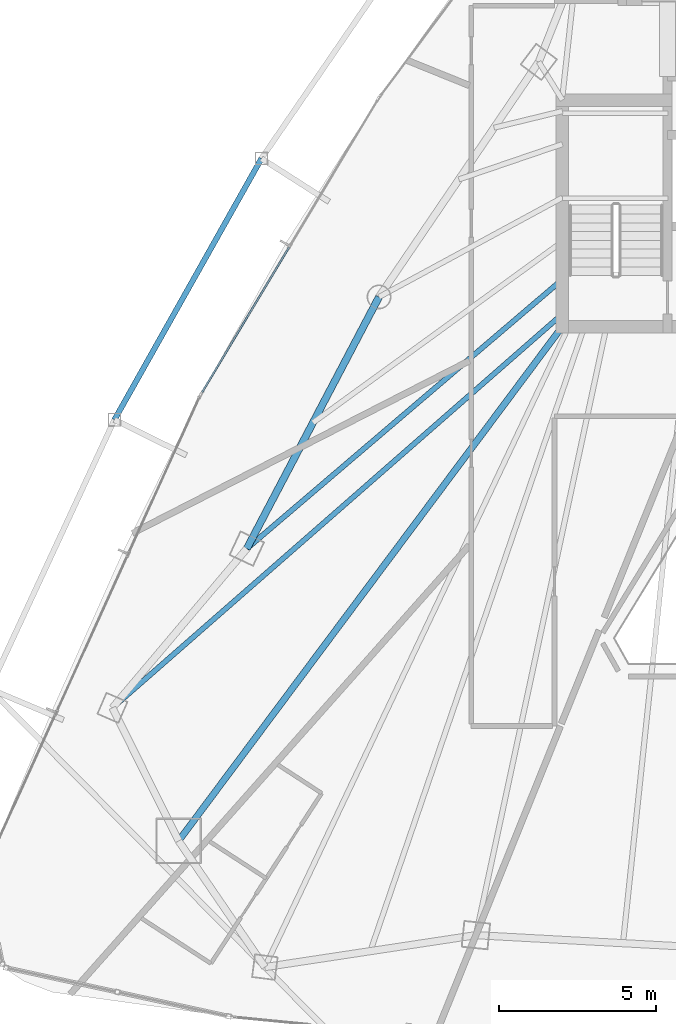
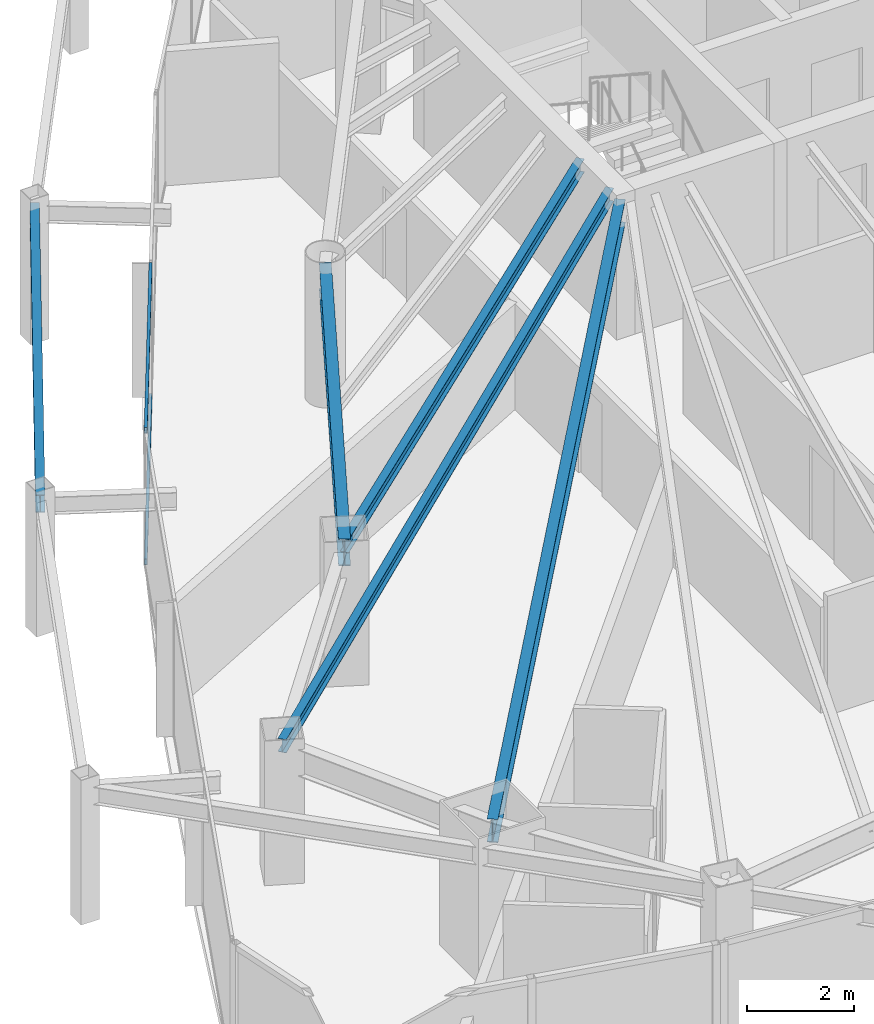
# One storey, part 11 of 31: 5 beams, 2 members, 1 element without a shape of its own.
"""IFC4 building model written with IfcOpenShell, lengths in metres."""

from ifc_helpers import new_model, si_unit, direction, frame, origin, origin_2d, place, context, subcontext, project, spatial, hollow_rectangle, i_section, extrude, material, layer, layer_set, material_profile, profile_set, type_object, element, aggregate, save


model = new_model("IFC4")

# Units and contexts
model_context = context("Model", 3, precision=1e-05, world=origin(), true_north=direction((0.0, 1.0)))
body_context = subcontext(model_context, "Body", "Model", "MODEL_VIEW")
ifc_project = project(units=[si_unit("LENGTHUNIT", "METRE"), si_unit("AREAUNIT", "SQUARE_METRE"), si_unit("VOLUMEUNIT", "CUBIC_METRE"), si_unit("PLANEANGLEUNIT", "RADIAN"), si_unit("MASSUNIT", "GRAM", prefix="KILO")], contexts=[model_context])

# Site, building, storey
site_placement = place(None, origin())
site = spatial("IfcSite", under=ifc_project, at=site_placement, CompositionType="ELEMENT")
building_placement = place(site_placement, origin())
building = spatial("IfcBuilding", under=site, at=building_placement, Name="Orvanel Arch Residences", CompositionType="ELEMENT")
storey_placement = place(building_placement, frame((0.0, 0.0, 153.949951171875)))
storey = spatial("IfcBuildingStorey", under=building, at=storey_placement, Name="L43", CompositionType="ELEMENT", Elevation=153.949951171875)

# Beams
ifc_material_1 = material(Name="Structural steel AS/NZS 3679.1 Grade 300 (300 MPa)", Category="steel")
ifc_material_profile_1 = material_profile(ifc_material_1, i_section(OverallWidth=0.208984375, OverallDepth=0.532958984375, WebThickness=0.01025390625, FlangeThickness=0.015625, at=origin_2d()), Name="530UB92.4")
ifc_profile_set_1 = profile_set([ifc_material_profile_1], Name="Structural steel AS/NZS 3679.1 Grade 300 (300 MPa)")
beam_type_1 = type_object("IfcBeamType", Name="BG-530UB", PredefinedType="BEAM", material=ifc_profile_set_1)
beam_1_placement = place(storey_placement, frame((26.375, 26.675048828125, 2.79296875), z_axis=(-0.597893733742, -0.801575375839, 0.0), x_axis=(0.801575375839, -0.597893733742, 0.0)))
element("IfcBeam", 1, at=beam_1_placement, inside=storey, type_object=beam_type_1, Name="L43 South-West Radial Girder", PredefinedType="BEAM", context=body_context, shape_type="SweptSolid", body=[
    extrude(i_section(OverallWidth=0.208984375, OverallDepth=0.532958984375, WebThickness=0.01025390625, FlangeThickness=0.015625, at=origin_2d()), origin(), (0.0, 0.0, 1.0), 20.36474609375),
])
ifc_material_profile_2 = material_profile(ifc_material_1, i_section(OverallWidth=0.1650390625, OverallDepth=0.303955078125, WebThickness=0.006103515625, FlangeThickness=0.01025390625, at=origin_2d()), Name="310UB40.4")
ifc_profile_set_2 = profile_set([ifc_material_profile_2], Name="Structural steel AS/NZS 3679.1 Grade 300 (300 MPa)")
beam_type_2 = type_object("IfcBeamType", Name="BJ-310UB", PredefinedType="JOIST", material=ifc_profile_set_2)
beam_2_placement = place(storey_placement, frame((26.39990234375, 28.199951171875, 2.907958984375), z_axis=(-0.760821315761, -0.648961420644, 0.0), x_axis=(0.648961420644, -0.760821315761, 0.0)))
element("IfcBeam", 2, at=beam_2_placement, inside=storey, type_object=beam_type_2, Name="L43 W Wing Floor Joist", PredefinedType="JOIST", context=body_context, shape_type="SweptSolid", body=[
    extrude(i_section(OverallWidth=0.1650390625, OverallDepth=0.303955078125, WebThickness=0.006103515625, FlangeThickness=0.01025390625, at=origin_2d()), origin(), (0.0, 0.0, 1.0), 13.18701171875),
])
beam_3_placement = place(storey_placement, frame((26.39990234375, 27.10009765625, 2.907958984375), z_axis=(-0.752493154183, -0.658600070534, 0.0), x_axis=(0.658600070534, -0.752493154183, 0.0)))
element("IfcBeam", 3, at=beam_3_placement, inside=storey, type_object=beam_type_2, Name="L43 MW Wing Floor Joist", PredefinedType="JOIST", context=body_context, shape_type="SweptSolid", body=[
    extrude(i_section(OverallWidth=0.1650390625, OverallDepth=0.303955078125, WebThickness=0.006103515625, FlangeThickness=0.01025390625, at=origin_2d()), origin(), (0.0, 0.0, 1.0), 19.010009765625),
])
ifc_material_profile_3 = material_profile(ifc_material_1, i_section(OverallWidth=0.177978515625, OverallDepth=0.406005859375, WebThickness=0.0078125, FlangeThickness=0.0126953125, at=origin_2d()), Name="410UB59.7")
ifc_profile_set_3 = profile_set([ifc_material_profile_3], Name="Structural steel AS/NZS 3679.1 Grade 300 (300 MPa)")
beam_type_3 = type_object("IfcBeamType", Name="OB-410UB-EXT", PredefinedType="SPANDREL", material=ifc_profile_set_3)
beam_4_placement = place(storey_placement, frame((16.8330078125, 32.0419921875, 2.85693359375), z_axis=(-0.490430320269, -0.871480407675, 0.0), x_axis=(0.871480407675, -0.490430320269, 0.0)))
element("IfcBeam", 4, at=beam_4_placement, inside=storey, type_object=beam_type_3, Name="L43 Outer Perimeter Floor Ring Beam 02", PredefinedType="SPANDREL", context=body_context, shape_type="SweptSolid", body=[
    extrude(i_section(OverallWidth=0.177978515625, OverallDepth=0.406005859375, WebThickness=0.0078125, FlangeThickness=0.0126953125, at=origin_2d()), origin(), (0.0, 0.0, 1.0), 9.528564453125),
])
ifc_material_profile_4 = material_profile(ifc_material_1, i_section(OverallWidth=0.22900390625, OverallDepth=0.612060546875, WebThickness=0.011962890625, FlangeThickness=0.01953125, at=origin_2d()), Name="610UB125")
ifc_profile_set_4 = profile_set([ifc_material_profile_4], Name="Structural steel AS/NZS 3679.1 Grade 300 (300 MPa)")
beam_type_4 = type_object("IfcBeamType", Name="SP-610UB", PredefinedType="SPANDREL", material=ifc_profile_set_4)
beam_5_placement = place(storey_placement, frame((20.569091796875, 27.64111328125, 2.754150390625), z_axis=(-0.465064762793, -0.885276660942, 0.0), x_axis=(0.885276660942, -0.465064762793, 0.0)))
element("IfcBeam", 5, at=beam_5_placement, inside=storey, type_object=beam_type_4, Name="L43 Perimeter Spandrel Beam 18", PredefinedType="SPANDREL", context=body_context, shape_type="SweptSolid", body=[
    extrude(i_section(OverallWidth=0.22900390625, OverallDepth=0.612060546875, WebThickness=0.011962890625, FlangeThickness=0.01953125, at=origin_2d()), origin(), (0.0, 0.0, 1.0), 9.03564453125),
])

# Curtain wall, members
ifc_material_2 = material(Name="Bronze-anodised aluminium AA6063-T6", Category="aluminium")
ifc_layer = layer(ifc_material_2, 0.179931640625)
ifc_layer_set = layer_set([ifc_layer], Name="Bronze-anodised aluminium AA6063-T6")
curtain_wall_type = type_object("IfcCurtainWallType", Name="CW3-MID-SYS", PredefinedType="NOTDEFINED", material=ifc_layer_set)
curtain_wall_placement = place(storey_placement, origin())
curtain_wall = element("IfcCurtainWall", 6, at=curtain_wall_placement, inside=storey, type_object=curtain_wall_type, Name="L43 CW3-MID-SYS Unitised Curtain Wall", PredefinedType="NOTDEFINED")
ifc_material_profile_5 = material_profile(ifc_material_2, hollow_rectangle(XDim=0.06005859375, YDim=0.135009765625, WallThickness=0.00390625, at=origin_2d()), Name="ALU135x60x4")
ifc_profile_set_5 = profile_set([ifc_material_profile_5], Name="Bronze-anodised aluminium AA6063-T6")
member_type = type_object("IfcMemberType", Name="TRN-135x60", PredefinedType="USERDEFINED", material=ifc_profile_set_5)
member_1_placement = place(storey_placement, frame((17.712890625, 29.22705078125, 0.030029296875), z_axis=(-0.51440247566, -0.857548886673, 0.0), x_axis=(0.857548886673, -0.51440247566, 0.0)))
member_1 = element("IfcMember", 7, at=member_1_placement, type_object=member_type, Name="CW-S3 transom 2.1", ObjectType="TRANSOM", PredefinedType="USERDEFINED", context=body_context, shape_type="SweptSolid", body=[
    extrude(hollow_rectangle(XDim=0.06005859375, YDim=0.135009765625, WallThickness=0.00390625, at=origin_2d()), origin(), (0.0, 0.0, 1.0), 5.388671875),
])
member_2_placement = place(storey_placement, frame((17.712890625, 29.22705078125, 3.030029296875), z_axis=(-0.51440247566, -0.857548886673, 0.0), x_axis=(0.857548886673, -0.51440247566, 0.0)))
member_2 = element("IfcMember", 8, at=member_2_placement, type_object=member_type, Name="CW-S3 transom 2.2", ObjectType="TRANSOM", PredefinedType="USERDEFINED", context=body_context, shape_type="SweptSolid", body=[
    extrude(hollow_rectangle(XDim=0.06005859375, YDim=0.135009765625, WallThickness=0.00390625, at=origin_2d()), origin(), (0.0, 0.0, 1.0), 5.388671875),
])
aggregate(curtain_wall, [member_1, member_2])

save(model, "model.ifc")
